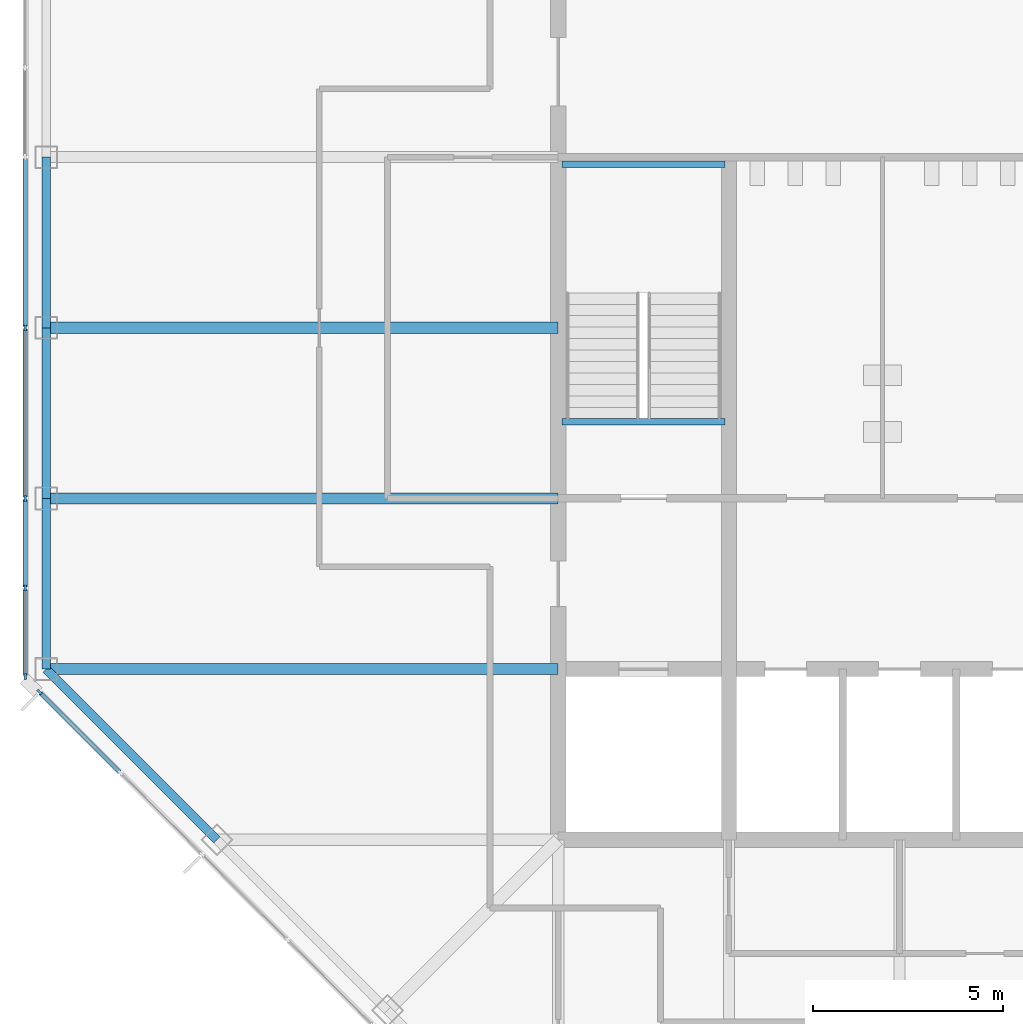
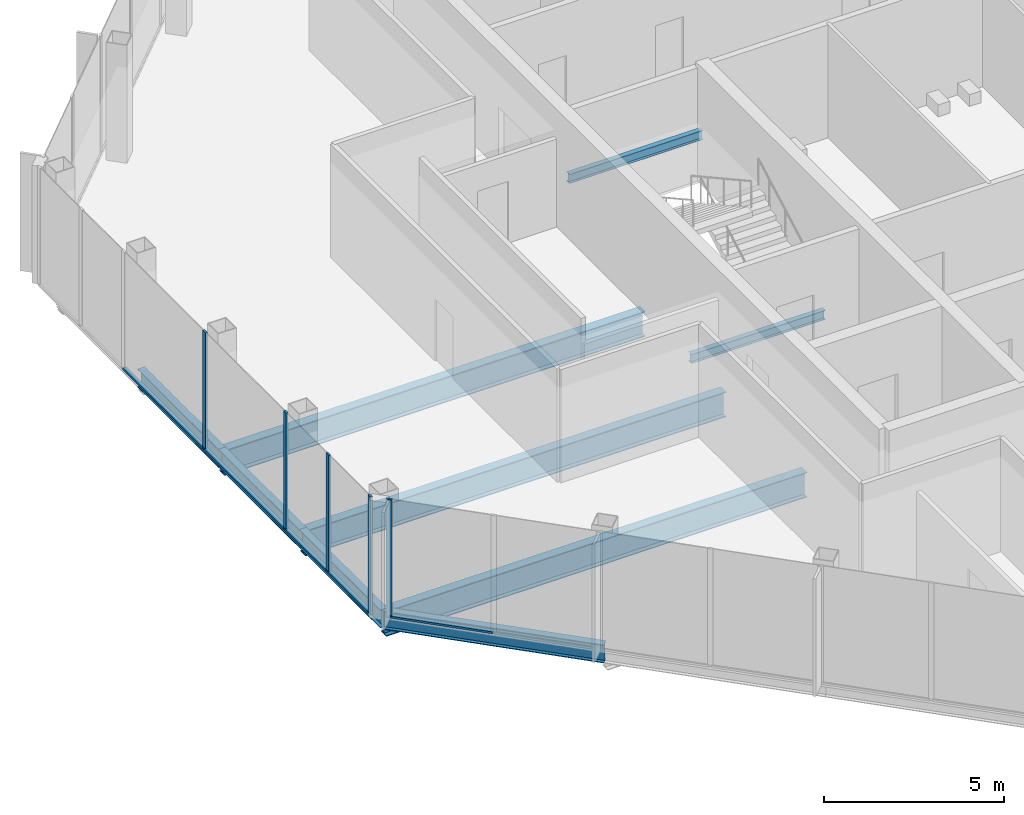
# One storey, part 3 of 14: 10 members, 9 beams, 2 elements without a shape of their own.
"""IFC4 building model written with IfcOpenShell, lengths in metres."""

from ifc_helpers import new_model, si_unit, direction, frame, origin, origin_2d, place, context, subcontext, project, spatial, rectangle, i_section, extrude, material, material_profile, profile_set, type_object, element, aggregate, save


model = new_model("IFC4")

# Units and contexts
model_context = context("Model", 3, precision=1e-05, world=origin(), true_north=direction((0.0, 1.0)))
body_context = subcontext(model_context, "Body", "Model", "MODEL_VIEW")
ifc_project = project(units=[si_unit("LENGTHUNIT", "METRE"), si_unit("AREAUNIT", "SQUARE_METRE"), si_unit("VOLUMEUNIT", "CUBIC_METRE"), si_unit("PLANEANGLEUNIT", "RADIAN"), si_unit("MASSUNIT", "GRAM", prefix="KILO")], contexts=[model_context])

# Site, building, storey
site_placement = place(None, origin())
site = spatial("IfcSite", under=ifc_project, at=site_placement, CompositionType="ELEMENT")
building_placement = place(site_placement, origin())
building = spatial("IfcBuilding", under=site, at=building_placement, Name="Corais Broadcast Tower", CompositionType="ELEMENT")
storey_placement = place(building_placement, frame((0.0, 0.0, 278.60009765625)))
storey = spatial("IfcBuildingStorey", under=building, at=storey_placement, Name="L65", CompositionType="ELEMENT", Elevation=278.60009765625)

# Beams
ifc_material_1 = material(Name="Steel ASTM A572 Grade 50", Category="steel")
ifc_material_profile_1 = material_profile(ifc_material_1, i_section(OverallWidth=0.2939453125, OverallDepth=0.85107421875, WebThickness=0.01611328125, FlangeThickness=0.02685546875, at=origin_2d()), Name="W840x226")
ifc_profile_set_1 = profile_set([ifc_material_profile_1], Name="Steel ASTM A572 Grade 50")
beam_type_1 = type_object("IfcBeamType", Name="Floor beam W840x226", PredefinedType="BEAM", material=ifc_profile_set_1)
for number, where, z_axis, x_axis, name in (
    (1, (0.0, 18.0, -0.585693359375), (1.0, 0.0, 0.0), (0.0, 1.0, 0.0), "B1 E/3 to E/6"),
    (2, (0.0, 22.5, -0.585693359375), (1.0, 0.0, 0.0), (0.0, 1.0, 0.0), "B1 F/3 to F/6"),
    (3, (0.0, 27.0, -0.585693359375), (1.0, 0.0, 0.0), (0.0, 1.0, 0.0), "B1 G/3 to G/6"),
):
    element("IfcBeam", number, at=place(storey_placement, frame(where, z_axis=z_axis, x_axis=x_axis)), inside=storey, type_object=beam_type_1, Name=name, PredefinedType="BEAM", context=body_context, shape_type="SweptSolid", body=[
        extrude(i_section(OverallWidth=0.2939453125, OverallDepth=0.85107421875, WebThickness=0.01611328125, FlangeThickness=0.02685546875, at=origin_2d()), origin(), (0.0, 0.0, 1.0), 13.5),
    ])
ifc_material_2 = material(Name="Steel ASTM A572 Grade 50", Category="steel")
ifc_material_profile_2 = material_profile(ifc_material_2, i_section(OverallWidth=0.1650390625, OverallDepth=0.31005859375, WebThickness=0.005859375, FlangeThickness=0.009765625, at=origin_2d()), Name="W310x38.7")
ifc_profile_set_2 = profile_set([ifc_material_profile_2], Name="Steel ASTM A572 Grade 50")
beam_type_2 = type_object("IfcBeamType", Name="Landing trimmer W310x38.7", PredefinedType="BEAM", material=ifc_profile_set_2)
for number, where, z_axis, x_axis, name in (
    (4, (13.60009765625, 24.52490234375, -0.35498046875), (1.0, 0.0, 0.0), (0.0, 1.0, 0.0), "LT1 stair A landing trimmer L65"),
    (5, (13.60009765625, 31.31005859375, 1.64501953125), (1.0, 0.0, 0.0), (0.0, 1.0, 0.0), "LT1 stair A half landing trimmer L65"),
):
    element("IfcBeam", number, at=place(storey_placement, frame(where, z_axis=z_axis, x_axis=x_axis)), inside=storey, type_object=beam_type_2, Name=name, PredefinedType="BEAM", context=body_context, shape_type="SweptSolid", body=[
        extrude(i_section(OverallWidth=0.1650390625, OverallDepth=0.31005859375, WebThickness=0.005859375, FlangeThickness=0.009765625, at=origin_2d()), origin(), (0.0, 0.0, 1.0), 4.2998046875),
    ])

# Curtain wall, member
ifc_material_3 = material(Name="Aluminium and glass", Category="aluminium")
curtain_wall_type = type_object("IfcCurtainWallType", Name="Unitised fritted curtain wall CW3", PredefinedType="NOTDEFINED", material=ifc_material_3)
curtain_wall_1_placement = place(storey_placement, origin())
curtain_wall_1 = element("IfcCurtainWall", 6, at=curtain_wall_1_placement, inside=storey, type_object=curtain_wall_type, Name="CW3 curtain wall L65 1", PredefinedType="NOTDEFINED")
ifc_material_4 = material(Name="Aluminium 6063-T6", Category="aluminium")
ifc_material_profile_3 = material_profile(ifc_material_4, rectangle(XDim=0.06494140625, YDim=0.159912109375, at=origin_2d()), Name="Mullion CW3 65x160")
ifc_profile_set_3 = profile_set([ifc_material_profile_3], Name="Aluminium 6063-T6")
member_type_1 = type_object("IfcMemberType", Name="Mullion CW3 65x160", PredefinedType="MULLION", material=ifc_profile_set_3)
member_1_placement = place(storey_placement, frame((-0.17333984375, 17.3955078125, 0.0), z_axis=(0.0, 0.0, 1.0), x_axis=(-0.707106781187, -0.707106781187, 0.0)))
member_1 = element("IfcMember", 7, at=member_1_placement, type_object=member_type_1, Name="CW3 mullion 9", PredefinedType="MULLION", context=body_context, shape_type="SweptSolid", body=[
    extrude(rectangle(XDim=0.06494140625, YDim=0.159912109375, at=origin_2d()), origin(), (0.0, 0.0, 1.0), 4.0),
])

# Curtain wall, members
curtain_wall_2_placement = place(storey_placement, origin())
curtain_wall_2 = element("IfcCurtainWall", 8, at=curtain_wall_2_placement, inside=storey, type_object=curtain_wall_type, Name="CW3 curtain wall L65 2", PredefinedType="NOTDEFINED")
member_2_placement = place(storey_placement, frame((-0.550048828125, 17.8046875, 0.0), z_axis=(0.0, 0.0, 1.0), x_axis=(-1.0, 0.0, 0.0)))
member_2 = element("IfcMember", 9, at=member_2_placement, type_object=member_type_1, Name="CW3 mullion 1", PredefinedType="MULLION", context=body_context, shape_type="SweptSolid", body=[
    extrude(rectangle(XDim=0.06494140625, YDim=0.159912109375, at=origin_2d()), origin(), (0.0, 0.0, 1.0), 4.0),
])
member_3_placement = place(storey_placement, frame((-0.550048828125, 20.135986328125, 0.0), z_axis=(0.0, 0.0, 1.0), x_axis=(-1.0, 0.0, 0.0)))
member_3 = element("IfcMember", 10, at=member_3_placement, type_object=member_type_1, Name="CW3 mullion 2", PredefinedType="MULLION", context=body_context, shape_type="SweptSolid", body=[
    extrude(rectangle(XDim=0.06494140625, YDim=0.159912109375, at=origin_2d()), origin(), (0.0, 0.0, 1.0), 4.0),
])
member_4_placement = place(storey_placement, frame((-0.550048828125, 22.5, 0.0), z_axis=(0.0, 0.0, 1.0), x_axis=(-1.0, 0.0, 0.0)))
member_4 = element("IfcMember", 11, at=member_4_placement, type_object=member_type_1, Name="CW3 mullion 3", PredefinedType="MULLION", context=body_context, shape_type="SweptSolid", body=[
    extrude(rectangle(XDim=0.06494140625, YDim=0.159912109375, at=origin_2d()), origin(), (0.0, 0.0, 1.0), 4.0),
])
member_5_placement = place(storey_placement, frame((-0.550048828125, 27.0, 0.0), z_axis=(0.0, 0.0, 1.0), x_axis=(-1.0, 0.0, 0.0)))
member_5 = element("IfcMember", 12, at=member_5_placement, type_object=member_type_1, Name="CW3 mullion 4", PredefinedType="MULLION", context=body_context, shape_type="SweptSolid", body=[
    extrude(rectangle(XDim=0.06494140625, YDim=0.159912109375, at=origin_2d()), origin(), (0.0, 0.0, 1.0), 4.0),
])

# Beams
ifc_material_5 = material(Name="Steel ASTM A572 Grade 50", Category="steel")
ifc_material_profile_4 = material_profile(ifc_material_5, i_section(OverallWidth=0.22998046875, OverallDepth=0.616943359375, WebThickness=0.01318359375, FlangeThickness=0.022216796875, at=origin_2d()), Name="W610x140")
ifc_profile_set_4 = profile_set([ifc_material_profile_4], Name="Steel ASTM A572 Grade 50")
beam_type_3 = type_object("IfcBeamType", Name="Spandrel W610x140", PredefinedType="BEAM", material=ifc_profile_set_4)
beam_placement = place(storey_placement, frame((0.0, 18.0, -0.468505859375), z_axis=(0.707106781187, -0.707106781187, 0.0), x_axis=(0.707106781187, 0.707106781187, 0.0)))
element("IfcBeam", 13, at=beam_placement, inside=storey, type_object=beam_type_3, Name="SB3 E/3 to D/4", PredefinedType="BEAM", context=body_context, shape_type="SweptSolid", body=[
    extrude(i_section(OverallWidth=0.22998046875, OverallDepth=0.616943359375, WebThickness=0.01318359375, FlangeThickness=0.022216796875, at=origin_2d()), origin(), (0.0, 0.0, 1.0), 6.364013671875),
])
for number, where, z_axis, x_axis, name in (
    (14, (0.0, 22.5, -0.468505859375), (0.0, -1.0, 0.0), (1.0, 0.0, 0.0), "SB3 F/3 to E/3"),
    (15, (0.0, 27.0, -0.468505859375), (0.0, -1.0, 0.0), (1.0, 0.0, 0.0), "SB3 G/3 to F/3"),
    (16, (0.0, 31.5, -0.468505859375), (0.0, -1.0, 0.0), (1.0, 0.0, 0.0), "SB3 H/3 to G/3"),
):
    element("IfcBeam", number, at=place(storey_placement, frame(where, z_axis=z_axis, x_axis=x_axis)), inside=storey, type_object=beam_type_3, Name=name, PredefinedType="BEAM", context=body_context, shape_type="SweptSolid", body=[
        extrude(i_section(OverallWidth=0.22998046875, OverallDepth=0.616943359375, WebThickness=0.01318359375, FlangeThickness=0.022216796875, at=origin_2d()), origin(), (0.0, 0.0, 1.0), 4.5),
    ])

# Member
ifc_material_6 = material(Name="Aluminium 6063-T6", Category="aluminium")
ifc_material_profile_5 = material_profile(ifc_material_6, rectangle(XDim=0.1201171875, YDim=0.06494140625, at=origin_2d()), Name="Transom CW3 65x120")
ifc_profile_set_5 = profile_set([ifc_material_profile_5], Name="Aluminium 6063-T6")
member_type_2 = type_object("IfcMemberType", Name="Transom CW3 65x120", PredefinedType="USERDEFINED", material=ifc_profile_set_5)
member_6_placement = place(storey_placement, frame((1.934326171875, 15.287841796875, 0.032470703125), z_axis=(-0.707106781187, 0.707106781187, 0.0), x_axis=(-0.707106781187, -0.707106781187, 0.0)))
member_6 = element("IfcMember", 17, at=member_6_placement, type_object=member_type_2, Name="CW3 transom 8.1", ObjectType="TRANSOM", PredefinedType="USERDEFINED", context=body_context, shape_type="SweptSolid", body=[
    extrude(rectangle(XDim=0.1201171875, YDim=0.06494140625, at=origin_2d()), origin(), (0.0, 0.0, 1.0), 2.9482421875),
])

aggregate(curtain_wall_1, [member_1, member_6])

member_7_placement = place(storey_placement, frame((-0.550048828125, 17.837158203125, 0.032470703125), z_axis=(0.0, 1.0, 0.0), x_axis=(-1.0, 0.0, 0.0)))
member_7 = element("IfcMember", 18, at=member_7_placement, type_object=member_type_2, Name="CW3 transom 1.1", ObjectType="TRANSOM", PredefinedType="USERDEFINED", context=body_context, shape_type="SweptSolid", body=[
    extrude(rectangle(XDim=0.1201171875, YDim=0.06494140625, at=origin_2d()), origin(), (0.0, 0.0, 1.0), 2.266357421875),
])

member_8_placement = place(storey_placement, frame((-0.550048828125, 20.168701171875, 0.032470703125), z_axis=(0.0, 1.0, 0.0), x_axis=(-1.0, 0.0, 0.0)))
member_8 = element("IfcMember", 19, at=member_8_placement, type_object=member_type_2, Name="CW3 transom 2.1", ObjectType="TRANSOM", PredefinedType="USERDEFINED", context=body_context, shape_type="SweptSolid", body=[
    extrude(rectangle(XDim=0.1201171875, YDim=0.06494140625, at=origin_2d()), origin(), (0.0, 0.0, 1.0), 2.298828125),
])

member_9_placement = place(storey_placement, frame((-0.550048828125, 22.532470703125, 0.032470703125), z_axis=(0.0, 1.0, 0.0), x_axis=(-1.0, 0.0, 0.0)))
member_9 = element("IfcMember", 20, at=member_9_placement, type_object=member_type_2, Name="CW3 transom 3.1", ObjectType="TRANSOM", PredefinedType="USERDEFINED", context=body_context, shape_type="SweptSolid", body=[
    extrude(rectangle(XDim=0.1201171875, YDim=0.06494140625, at=origin_2d()), origin(), (0.0, 0.0, 1.0), 4.43505859375),
])

member_10_placement = place(storey_placement, frame((-0.550048828125, 27.032470703125, 0.032470703125), z_axis=(0.0, 1.0, 0.0), x_axis=(-1.0, 0.0, 0.0)))
member_10 = element("IfcMember", 21, at=member_10_placement, type_object=member_type_2, Name="CW3 transom 4.1", ObjectType="TRANSOM", PredefinedType="USERDEFINED", context=body_context, shape_type="SweptSolid", body=[
    extrude(rectangle(XDim=0.1201171875, YDim=0.06494140625, at=origin_2d()), origin(), (0.0, 0.0, 1.0), 4.43505859375),
])

aggregate(curtain_wall_2, [member_2, member_3, member_4, member_5, member_7, member_8, member_9, member_10])

save(model, "model.ifc")
